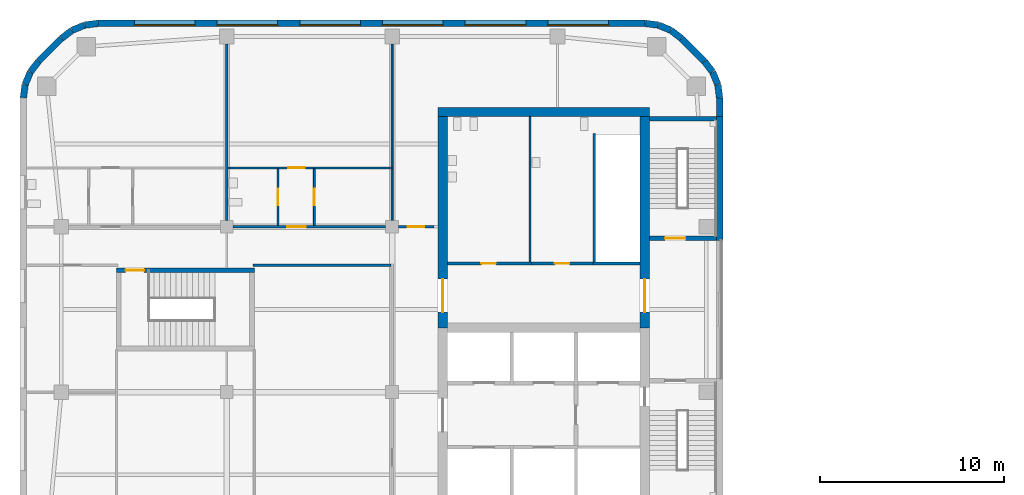
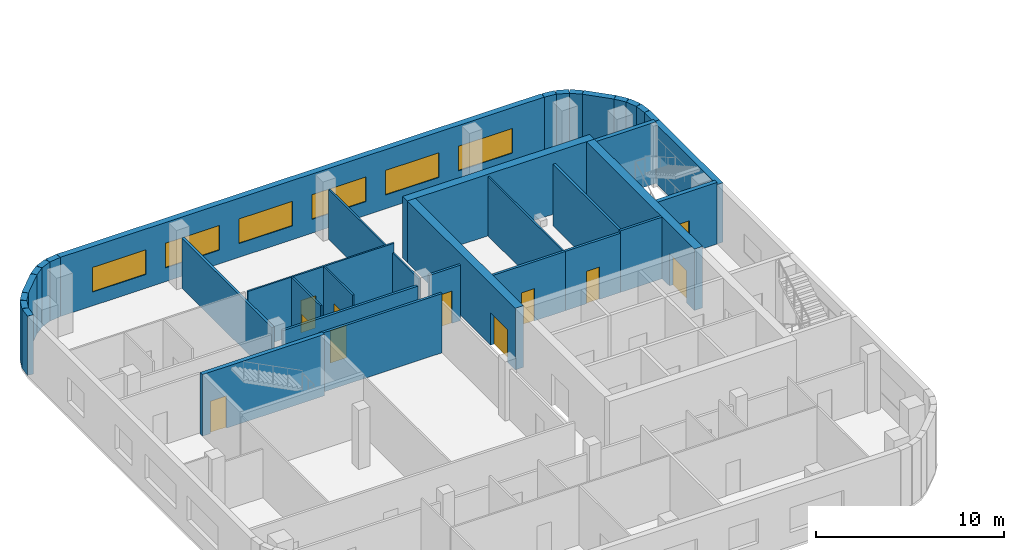
# One storey, part 7 of 15: 37 walls, 11 doors, 6 windows, 17 openings.
"""IFC4 building model written with IfcOpenShell, lengths in metres."""

from ifc_helpers import new_model, si_unit, direction, frame, frame_2d, origin, place, context, subcontext, project, spatial, rectangle, extrude, material, layer, layer_set, type_object, element, fill, save


model = new_model("IFC4")

# Units and contexts
model_context = context("Model", 3, precision=1e-05, world=origin(), true_north=direction((0.0, 1.0)))
body_context = subcontext(model_context, "Body", "Model", "MODEL_VIEW")
ifc_project = project(units=[si_unit("LENGTHUNIT", "METRE"), si_unit("AREAUNIT", "SQUARE_METRE"), si_unit("VOLUMEUNIT", "CUBIC_METRE"), si_unit("PLANEANGLEUNIT", "RADIAN"), si_unit("MASSUNIT", "GRAM", prefix="KILO")], contexts=[model_context])

# Site, building, storey
site_placement = place(None, origin())
site = spatial("IfcSite", under=ifc_project, at=site_placement, CompositionType="ELEMENT")
building_placement = place(site_placement, origin())
building = spatial("IfcBuilding", under=site, at=building_placement, Name="Cinnabar Reach Civic Tower", CompositionType="ELEMENT")
storey_placement = place(building_placement, frame((0.0, 0.0, 87.0)))
storey = spatial("IfcBuildingStorey", under=building, at=storey_placement, Name="L20", CompositionType="ELEMENT", Elevation=87.0)

# Walls
ifc_material_1 = material(Name="Facing brick with insulated backing", Category="masonry")
ifc_layer_1 = layer(ifc_material_1, 0.36)
ifc_layer_set_1 = layer_set([ifc_layer_1], Name="Brick corner wall")
wall_type_1 = type_object("IfcWallType", Name="Brick corner wall", PredefinedType="STANDARD", material=ifc_layer_set_1)
for number, where, z_axis, x_axis, name in (
    (1, (-27.183, 43.0186, 0.0), (0.0, 0.0, 1.0), (-0.13055608231, 0.99144092581, 0.0), "Brick corner wall"),
    (2, (-27.2819, 43.7473, 0.0), (0.0, 0.0, 1.0), (-0.382702709855, 0.923871547278, 0.0), "Brick corner wall"),
):
    element("IfcWall", number, at=place(storey_placement, frame(where, z_axis=z_axis, x_axis=x_axis)), inside=storey, type_object=wall_type_1, Name=name, PredefinedType="STANDARD", context=body_context, shape_type="SweptSolid", body=[
        extrude(rectangle(XDim=0.7131, YDim=0.36, at=frame_2d((0.3565, 0.0))), origin(), (0.0, 0.0, 1.0), 3.85),
    ])
for number, where, z_axis, x_axis, name in (
    (3, (-27.566, 44.4255, 0.0), (0.0, 0.0, 1.0), (-0.608802368033, 0.793321924995, 0.0), "Brick corner wall"),
    (4, (-29.2587, 46.2498, 0.0), (0.0, 0.0, 1.0), (-0.793321924995, 0.608802368033, 0.0), "Brick corner wall"),
):
    element("IfcWall", number, at=place(storey_placement, frame(where, z_axis=z_axis, x_axis=x_axis)), inside=storey, type_object=wall_type_1, Name=name, PredefinedType="STANDARD", context=body_context, shape_type="SweptSolid", body=[
        extrude(rectangle(XDim=0.7132, YDim=0.36, at=frame_2d((0.3566, 0.0))), origin(), (0.0, 0.0, 1.0), 3.85),
    ])
for number, where, z_axis, x_axis, name in (
    (5, (-29.8439, 46.6952, 0.0), (0.0, 0.0, 1.0), (-0.923871547278, 0.382702709855, 0.0), "Brick corner wall"),
    (6, (-30.5244, 46.9739, 0.0), (0.0, 0.0, 1.0), (-0.99144092581, 0.13055608231, 0.0), "Brick corner wall"),
    (7, (-61.0186, 47.067, 0.0), (0.0, 0.0, 1.0), (-0.99144092581, -0.13055608231, 0.0), "Brick corner wall"),
    (8, (-61.7473, 46.9681, 0.0), (0.0, 0.0, 1.0), (-0.923871547278, -0.382702709855, 0.0), "Brick corner wall"),
):
    element("IfcWall", number, at=place(storey_placement, frame(where, z_axis=z_axis, x_axis=x_axis)), inside=storey, type_object=wall_type_1, Name=name, PredefinedType="STANDARD", context=body_context, shape_type="SweptSolid", body=[
        extrude(rectangle(XDim=0.7131, YDim=0.36, at=frame_2d((0.3565, 0.0))), origin(), (0.0, 0.0, 1.0), 3.85),
    ])
for number, where, z_axis, x_axis, name in (
    (9, (-62.4255, 46.684, 0.0), (0.0, 0.0, 1.0), (-0.793321924995, -0.608802368033, 0.0), "Brick corner wall"),
    (10, (-64.2498, 44.9913, 0.0), (0.0, 0.0, 1.0), (-0.608802368033, -0.793321924995, 0.0), "Brick corner wall"),
):
    element("IfcWall", number, at=place(storey_placement, frame(where, z_axis=z_axis, x_axis=x_axis)), inside=storey, type_object=wall_type_1, Name=name, PredefinedType="STANDARD", context=body_context, shape_type="SweptSolid", body=[
        extrude(rectangle(XDim=0.7132, YDim=0.36, at=frame_2d((0.3566, 0.0))), origin(), (0.0, 0.0, 1.0), 3.85),
    ])
for number, where, z_axis, x_axis, name in (
    (11, (-64.6952, 44.4061, 0.0), (0.0, 0.0, 1.0), (-0.382702709855, -0.923871547278, 0.0), "Brick corner wall"),
    (12, (-64.9739, 43.7256, 0.0), (0.0, 0.0, 1.0), (-0.13055608231, -0.99144092581, 0.0), "Brick corner wall"),
):
    element("IfcWall", number, at=place(storey_placement, frame(where, z_axis=z_axis, x_axis=x_axis)), inside=storey, type_object=wall_type_1, Name=name, PredefinedType="STANDARD", context=body_context, shape_type="SweptSolid", body=[
        extrude(rectangle(XDim=0.7131, YDim=0.36, at=frame_2d((0.3565, 0.0))), origin(), (0.0, 0.0, 1.0), 3.85),
    ])
ifc_layer_2 = layer(ifc_material_1, 0.36)
ifc_layer_set_2 = layer_set([ifc_layer_2], Name="Brick pier and spandrel wall")
wall_type_2 = type_object("IfcWallType", Name="Brick pier and spandrel wall", PredefinedType="STANDARD", material=ifc_layer_set_2)
wall_1_placement = place(storey_placement, frame((-27.18, 35.25, 0.0), z_axis=(0.0, 0.0, 1.0), x_axis=(0.0, 1.0, 0.0)))
element("IfcWall", 13, at=wall_1_placement, inside=storey, type_object=wall_type_2, Name="Brick facade wall", PredefinedType="STANDARD", context=body_context, shape_type="SweptSolid", body=[
    extrude(rectangle(XDim=6.75, YDim=0.36, at=frame_2d((3.375, 0.0))), origin(), (0.0, 0.0, 1.0), 3.85),
])
wall_2_placement = place(storey_placement, frame((-27.18, 42.0, 0.0), z_axis=(0.0, 0.0, 1.0), x_axis=(0.0, 1.0, 0.0)))
element("IfcWall", 14, at=wall_2_placement, inside=storey, type_object=wall_type_2, Name="Brick facade wall", PredefinedType="STANDARD", context=body_context, shape_type="SweptSolid", body=[
    extrude(rectangle(XDim=1.0074, YDim=0.36, at=frame_2d((0.5037, 0.0))), origin(), (0.0, 0.0, 1.0), 3.85),
])
wall_3_placement = place(storey_placement, frame((-28.006, 45.0014, 0.0), z_axis=(0.0, 0.0, 1.0), x_axis=(-0.707106781187, 0.707106781187, 0.0)))
element("IfcWall", 15, at=wall_3_placement, inside=storey, type_object=wall_type_2, Name="Brick facade wall", PredefinedType="STANDARD", context=body_context, shape_type="SweptSolid", body=[
    extrude(rectangle(XDim=1.7573, YDim=0.36, at=frame_2d((0.8787, 0.0))), origin(), (0.0, 0.0, 1.0), 3.85),
])

# Wall, openings, windows
wall_4_placement = place(storey_placement, frame((-31.2426, 47.07, 0.0), z_axis=(0.0, 0.0, 1.0), x_axis=(-1.0, 0.0, 0.0)))
wall_4 = element("IfcWall", 16, at=wall_4_placement, inside=storey, type_object=wall_type_2, Name="Brick facade wall", PredefinedType="STANDARD", context=body_context, shape_type="SweptSolid", body=[
    extrude(rectangle(XDim=29.7648, YDim=0.36, at=frame_2d((14.8824, 0.0))), origin(), (0.0, 0.0, 1.0), 3.85),
])
opening_1_placement = place(wall_4_placement, frame((1.9824, 0.0, 0.9)))
opening_1 = element("IfcOpeningElement", 17, at=opening_1_placement, cuts=wall_4, Name="Opening W2626", PredefinedType="OPENING", context=body_context, shape_type="SweptSolid", body=[
    extrude(rectangle(XDim=3.3, YDim=1.6, at=frame_2d((1.65, 0.8))), frame((0.0, 0.19, 0.0), z_axis=(0.0, -1.0, 0.0), x_axis=(1.0, 0.0, 0.0)), (0.0, 0.0, 1.0), 0.38),
])
opening_2_placement = place(wall_4_placement, frame((6.4824, 0.0, 0.9)))
opening_2 = element("IfcOpeningElement", 18, at=opening_2_placement, cuts=wall_4, Name="Opening W2627", PredefinedType="OPENING", context=body_context, shape_type="SweptSolid", body=[
    extrude(rectangle(XDim=3.3, YDim=1.6, at=frame_2d((1.65, 0.8))), frame((0.0, 0.19, 0.0), z_axis=(0.0, -1.0, 0.0), x_axis=(1.0, 0.0, 0.0)), (0.0, 0.0, 1.0), 0.38),
])
opening_3_placement = place(wall_4_placement, frame((10.9824, 0.0, 0.9)))
opening_3 = element("IfcOpeningElement", 19, at=opening_3_placement, cuts=wall_4, Name="Opening W2628", PredefinedType="OPENING", context=body_context, shape_type="SweptSolid", body=[
    extrude(rectangle(XDim=3.3, YDim=1.6, at=frame_2d((1.65, 0.8))), frame((0.0, 0.19, 0.0), z_axis=(0.0, -1.0, 0.0), x_axis=(1.0, 0.0, 0.0)), (0.0, 0.0, 1.0), 0.38),
])
opening_4_placement = place(wall_4_placement, frame((15.4824, 0.0, 0.9)))
opening_4 = element("IfcOpeningElement", 20, at=opening_4_placement, cuts=wall_4, Name="Opening W2629", PredefinedType="OPENING", context=body_context, shape_type="SweptSolid", body=[
    extrude(rectangle(XDim=3.3, YDim=1.6, at=frame_2d((1.65, 0.8))), frame((0.0, 0.19, 0.0), z_axis=(0.0, -1.0, 0.0), x_axis=(1.0, 0.0, 0.0)), (0.0, 0.0, 1.0), 0.38),
])
opening_5_placement = place(wall_4_placement, frame((19.9824, 0.0, 0.9)))
opening_5 = element("IfcOpeningElement", 21, at=opening_5_placement, cuts=wall_4, Name="Opening W2630", PredefinedType="OPENING", context=body_context, shape_type="SweptSolid", body=[
    extrude(rectangle(XDim=3.3, YDim=1.6, at=frame_2d((1.65, 0.8))), frame((0.0, 0.19, 0.0), z_axis=(0.0, -1.0, 0.0), x_axis=(1.0, 0.0, 0.0)), (0.0, 0.0, 1.0), 0.38),
])
opening_6_placement = place(wall_4_placement, frame((24.4824, 0.0, 0.9)))
opening_6 = element("IfcOpeningElement", 22, at=opening_6_placement, cuts=wall_4, Name="Opening W2631", PredefinedType="OPENING", context=body_context, shape_type="SweptSolid", body=[
    extrude(rectangle(XDim=3.3, YDim=1.6, at=frame_2d((1.65, 0.8))), frame((0.0, 0.19, 0.0), z_axis=(0.0, -1.0, 0.0), x_axis=(1.0, 0.0, 0.0)), (0.0, 0.0, 1.0), 0.38),
])
ifc_material_2 = material(Name="Clear double glazing in aluminium frame", Category="aluminium")
window_type = type_object("IfcWindowType", Name="Deep-set window A", PartitioningType="SINGLE_PANEL", PredefinedType="WINDOW", material=ifc_material_2)
window_1_placement = place(opening_1_placement, origin())
window_1 = element("IfcWindow", 23, at=window_1_placement, inside=storey, type_object=window_type, Name="Window north face", OverallHeight=1.6, OverallWidth=3.3, PartitioningType="SINGLE_PANEL", PredefinedType="WINDOW", context=body_context, shape_type="SweptSolid", body=[
    extrude(rectangle(XDim=3.3, YDim=1.6, at=frame_2d((1.65, 0.8))), frame((0.0, 0.13, 0.0), z_axis=(0.0, -1.0, 0.0), x_axis=(1.0, 0.0, 0.0)), (0.0, 0.0, 1.0), 0.06),
])
fill(opening_1, window_1)
window_2_placement = place(opening_2_placement, origin())
window_2 = element("IfcWindow", 24, at=window_2_placement, inside=storey, type_object=window_type, Name="Window north face", OverallHeight=1.6, OverallWidth=3.3, PartitioningType="SINGLE_PANEL", PredefinedType="WINDOW", context=body_context, shape_type="SweptSolid", body=[
    extrude(rectangle(XDim=3.3, YDim=1.6, at=frame_2d((1.65, 0.8))), frame((0.0, 0.13, 0.0), z_axis=(0.0, -1.0, 0.0), x_axis=(1.0, 0.0, 0.0)), (0.0, 0.0, 1.0), 0.06),
])
fill(opening_2, window_2)
window_3_placement = place(opening_3_placement, origin())
window_3 = element("IfcWindow", 25, at=window_3_placement, inside=storey, type_object=window_type, Name="Window north face", OverallHeight=1.6, OverallWidth=3.3, PartitioningType="SINGLE_PANEL", PredefinedType="WINDOW", context=body_context, shape_type="SweptSolid", body=[
    extrude(rectangle(XDim=3.3, YDim=1.6, at=frame_2d((1.65, 0.8))), frame((0.0, 0.13, 0.0), z_axis=(0.0, -1.0, 0.0), x_axis=(1.0, 0.0, 0.0)), (0.0, 0.0, 1.0), 0.06),
])
fill(opening_3, window_3)
window_4_placement = place(opening_4_placement, origin())
window_4 = element("IfcWindow", 26, at=window_4_placement, inside=storey, type_object=window_type, Name="Window north face", OverallHeight=1.6, OverallWidth=3.3, PartitioningType="SINGLE_PANEL", PredefinedType="WINDOW", context=body_context, shape_type="SweptSolid", body=[
    extrude(rectangle(XDim=3.3, YDim=1.6, at=frame_2d((1.65, 0.8))), frame((0.0, 0.13, 0.0), z_axis=(0.0, -1.0, 0.0), x_axis=(1.0, 0.0, 0.0)), (0.0, 0.0, 1.0), 0.06),
])
fill(opening_4, window_4)
window_5_placement = place(opening_5_placement, origin())
window_5 = element("IfcWindow", 27, at=window_5_placement, inside=storey, type_object=window_type, Name="Window north face", OverallHeight=1.6, OverallWidth=3.3, PartitioningType="SINGLE_PANEL", PredefinedType="WINDOW", context=body_context, shape_type="SweptSolid", body=[
    extrude(rectangle(XDim=3.3, YDim=1.6, at=frame_2d((1.65, 0.8))), frame((0.0, 0.13, 0.0), z_axis=(0.0, -1.0, 0.0), x_axis=(1.0, 0.0, 0.0)), (0.0, 0.0, 1.0), 0.06),
])
fill(opening_5, window_5)
window_6_placement = place(opening_6_placement, origin())
window_6 = element("IfcWindow", 28, at=window_6_placement, inside=storey, type_object=window_type, Name="Window north face", OverallHeight=1.6, OverallWidth=3.3, PartitioningType="SINGLE_PANEL", PredefinedType="WINDOW", context=body_context, shape_type="SweptSolid", body=[
    extrude(rectangle(XDim=3.3, YDim=1.6, at=frame_2d((1.65, 0.8))), frame((0.0, 0.13, 0.0), z_axis=(0.0, -1.0, 0.0), x_axis=(1.0, 0.0, 0.0)), (0.0, 0.0, 1.0), 0.06),
])
fill(opening_6, window_6)

# Walls
wall_5_placement = place(storey_placement, frame((-63.0014, 46.244, 0.0), z_axis=(0.0, 0.0, 1.0), x_axis=(-0.707106781187, -0.707106781187, 0.0)))
element("IfcWall", 29, at=wall_5_placement, inside=storey, type_object=wall_type_2, Name="Brick facade wall", PredefinedType="STANDARD", context=body_context, shape_type="SweptSolid", body=[
    extrude(rectangle(XDim=1.7573, YDim=0.36, at=frame_2d((0.8787, 0.0))), origin(), (0.0, 0.0, 1.0), 3.85),
])
ifc_material_3 = material(Name="Concrete C60", Category="concrete")
ifc_layer_3 = layer(ifc_material_3, 0.5)
ifc_layer_set_3 = layer_set([ifc_layer_3], Name="Core wall 500 EI 180")
wall_type_3 = type_object("IfcWallType", Name="Core wall 500 EI 180", PredefinedType="SOLIDWALL", material=ifc_layer_set_3)
wall_6_placement = place(storey_placement, frame((-31.0, 42.25, 0.0), z_axis=(0.0, 0.0, 1.0), x_axis=(-1.0, 0.0, 0.0)))
element("IfcWall", 30, at=wall_6_placement, inside=storey, type_object=wall_type_3, Name="Core wall T2 L20 N", PredefinedType="SOLIDWALL", context=body_context, shape_type="SweptSolid", body=[
    extrude(rectangle(XDim=11.5, YDim=0.5, at=frame_2d((5.75, 0.0))), origin(), (0.0, 0.0, 1.0), 4.0),
])

# Wall, opening, door
wall_7_placement = place(storey_placement, frame((-31.25, 30.5, 0.0), z_axis=(0.0, 0.0, 1.0), x_axis=(0.0, 1.0, 0.0)))
wall_7 = element("IfcWall", 31, at=wall_7_placement, inside=storey, type_object=wall_type_3, Name="Core wall T2 L20 E2", PredefinedType="SOLIDWALL", context=body_context, shape_type="SweptSolid", body=[
    extrude(rectangle(XDim=11.5, YDim=0.5, at=frame_2d((5.75, 0.0))), origin(), (0.0, 0.0, 1.0), 4.0),
])
opening_7_placement = place(wall_7_placement, frame((0.85, 0.0, 0.0)))
opening_7 = element("IfcOpeningElement", 32, at=opening_7_placement, cuts=wall_7, Name="Opening D6757", PredefinedType="OPENING", context=body_context, shape_type="SweptSolid", body=[
    extrude(rectangle(XDim=1.8, YDim=2.1, at=frame_2d((0.9, 1.05))), frame((0.0, 0.26, 0.0), z_axis=(0.0, -1.0, 0.0), x_axis=(1.0, 0.0, 0.0)), (0.0, 0.0, 1.0), 0.52),
])
ifc_material_4 = material(Name="Steel fire door", Category="steel")
door_type_1 = type_object("IfcDoorType", Name="T2 Double door 1800", OperationType="DOUBLE_DOOR_SINGLE_SWING", PredefinedType="DOOR", material=ifc_material_4)
door_1_placement = place(opening_7_placement, origin())
door_1 = element("IfcDoor", 33, at=door_1_placement, inside=storey, type_object=door_type_1, Name="T2 Double door D6757", OperationType="DOUBLE_DOOR_SINGLE_SWING", OverallHeight=2.1, OverallWidth=1.8, PredefinedType="DOOR", context=body_context, shape_type="SweptSolid", body=[
    extrude(rectangle(XDim=1.8, YDim=2.1, at=frame_2d((0.9, 1.05))), frame((0.0, 0.025, 0.0), z_axis=(0.0, -1.0, 0.0), x_axis=(1.0, 0.0, 0.0)), (0.0, 0.0, 1.0), 0.05),
])
fill(opening_7, door_1)

wall_8_placement = place(storey_placement, frame((-42.25, 42.0, 0.0), z_axis=(0.0, 0.0, 1.0), x_axis=(0.0, -1.0, 0.0)))
wall_8 = element("IfcWall", 34, at=wall_8_placement, inside=storey, type_object=wall_type_3, Name="Core wall T2 L20 W", PredefinedType="SOLIDWALL", context=body_context, shape_type="SweptSolid", body=[
    extrude(rectangle(XDim=11.5, YDim=0.5, at=frame_2d((5.75, 0.0))), origin(), (0.0, 0.0, 1.0), 4.0),
])
opening_8_placement = place(wall_8_placement, frame((8.85, 0.0, 0.0)))
opening_8 = element("IfcOpeningElement", 35, at=opening_8_placement, cuts=wall_8, Name="Opening D6759", PredefinedType="OPENING", context=body_context, shape_type="SweptSolid", body=[
    extrude(rectangle(XDim=1.8, YDim=2.1, at=frame_2d((0.9, 1.05))), frame((0.0, 0.26, 0.0), z_axis=(0.0, -1.0, 0.0), x_axis=(1.0, 0.0, 0.0)), (0.0, 0.0, 1.0), 0.52),
])
door_2_placement = place(opening_8_placement, frame((1.8, 0.0, 0.0), z_axis=(0.0, 0.0, 1.0), x_axis=(-1.0, 0.0, 0.0)))
door_2 = element("IfcDoor", 36, at=door_2_placement, inside=storey, type_object=door_type_1, Name="T2 Double door D6759", OperationType="DOUBLE_DOOR_SINGLE_SWING", OverallHeight=2.1, OverallWidth=1.8, PredefinedType="DOOR", context=body_context, shape_type="SweptSolid", body=[
    extrude(rectangle(XDim=1.8, YDim=2.1, at=frame_2d((0.9, 1.05))), frame((0.0, 0.025, 0.0), z_axis=(0.0, -1.0, 0.0), x_axis=(1.0, 0.0, 0.0)), (0.0, 0.0, 1.0), 0.05),
])
fill(opening_8, door_2)

ifc_material_5 = material(Name="Gypsum board on steel studs, double layer", Category="steel")
ifc_layer_4 = layer(ifc_material_5, 0.15)
ifc_layer_set_4 = layer_set([ifc_layer_4], Name="Corridor wall 150 T2")
wall_type_4 = type_object("IfcWallType", Name="Corridor wall 150 T2", PredefinedType="PARTITIONING", material=ifc_layer_set_4)
wall_9_placement = place(storey_placement, frame((-44.65, 36.0, 0.0), z_axis=(0.0, 0.0, 1.0), x_axis=(1.0, 0.0, 0.0)))
wall_9 = element("IfcWall", 37, at=wall_9_placement, inside=storey, type_object=wall_type_4, Name="Corridor wall 5", PredefinedType="PARTITIONING", context=body_context, shape_type="SweptSolid", body=[
    extrude(rectangle(XDim=1.925, YDim=0.15, at=frame_2d((0.9625, 0.0))), origin(), (0.0, 0.0, 1.0), 3.602),
])
opening_9_placement = place(wall_9_placement, frame((0.5, 0.0, 0.0)))
opening_9 = element("IfcOpeningElement", 38, at=opening_9_placement, cuts=wall_9, Name="Opening D6762", PredefinedType="OPENING", context=body_context, shape_type="SweptSolid", body=[
    extrude(rectangle(XDim=0.9, YDim=2.1, at=frame_2d((0.45, 1.05))), frame((0.0, 0.085, 0.0), z_axis=(0.0, -1.0, 0.0), x_axis=(1.0, 0.0, 0.0)), (0.0, 0.0, 1.0), 0.17),
])
ifc_material_6 = material(Name="Timber door leaf in steel frame", Category="steel")
door_type_2 = type_object("IfcDoorType", Name="Single swing door 900 x 2100 T2", OperationType="SINGLE_SWING_LEFT", PredefinedType="DOOR", material=ifc_material_6)
door_3_placement = place(opening_9_placement, origin())
door_3 = element("IfcDoor", 39, at=door_3_placement, inside=storey, type_object=door_type_2, Name="Door D6762", OperationType="SINGLE_SWING_LEFT", OverallHeight=2.1, OverallWidth=0.9, PredefinedType="DOOR", context=body_context, shape_type="SweptSolid", body=[
    extrude(rectangle(XDim=0.9, YDim=2.1, at=frame_2d((0.45, 1.05))), frame((0.0, 0.025, 0.0), z_axis=(0.0, -1.0, 0.0), x_axis=(1.0, 0.0, 0.0)), (0.0, 0.0, 1.0), 0.05),
])
fill(opening_9, door_3)

wall_10_placement = place(storey_placement, frame((-53.65, 36.0, 0.0), z_axis=(0.0, 0.0, 1.0), x_axis=(1.0, 0.0, 0.0)))
wall_10 = element("IfcWall", 40, at=wall_10_placement, inside=storey, type_object=wall_type_4, Name="Corridor wall 6", PredefinedType="PARTITIONING", context=body_context, shape_type="SweptSolid", body=[
    extrude(rectangle(XDim=8.3, YDim=0.15, at=frame_2d((4.15, 0.0))), origin(), (0.0, 0.0, 1.0), 3.158),
])
opening_10_placement = place(wall_10_placement, frame((2.94, 0.0, 0.0)))
opening_10 = element("IfcOpeningElement", 41, at=opening_10_placement, cuts=wall_10, Name="Opening D6781", PredefinedType="OPENING", context=body_context, shape_type="SweptSolid", body=[
    extrude(rectangle(XDim=1.0, YDim=2.1, at=frame_2d((0.5, 1.05))), frame((0.0, 0.085, 0.0), z_axis=(0.0, -1.0, 0.0), x_axis=(1.0, 0.0, 0.0)), (0.0, 0.0, 1.0), 0.17),
])
door_type_3 = type_object("IfcDoorType", Name="Tenancy entrance door 1000 x 2100 T2", OperationType="SINGLE_SWING_LEFT", PredefinedType="DOOR", material=ifc_material_6)
door_4_placement = place(opening_10_placement, origin())
door_4 = element("IfcDoor", 42, at=door_4_placement, inside=storey, type_object=door_type_3, Name="Door D6781", OperationType="SINGLE_SWING_RIGHT", OverallHeight=2.1, OverallWidth=1.0, PredefinedType="DOOR", context=body_context, shape_type="SweptSolid", body=[
    extrude(rectangle(XDim=1.0, YDim=2.1, at=frame_2d((0.5, 1.05))), frame((0.0, 0.025, 0.0), z_axis=(0.0, -1.0, 0.0), x_axis=(1.0, 0.0, 0.0)), (0.0, 0.0, 1.0), 0.05),
])
fill(opening_10, door_4)

# Wall
wall_11_placement = place(storey_placement, frame((-52.575, 33.9, 0.0), z_axis=(0.0, 0.0, 1.0), x_axis=(1.0, 0.0, 0.0)))
element("IfcWall", 43, at=wall_11_placement, inside=storey, type_object=wall_type_4, Name="Corridor wall 12", PredefinedType="PARTITIONING", context=body_context, shape_type="SweptSolid", body=[
    extrude(rectangle(XDim=7.5, YDim=0.15, at=frame_2d((3.75, 0.0))), origin(), (0.0, 0.0, 1.0), 3.85),
])

# Wall, opening, door
ifc_material_7 = material(Name="Gypsum board on steel studs", Category="steel")
ifc_layer_5 = layer(ifc_material_7, 0.1)
ifc_layer_set_5 = layer_set([ifc_layer_5], Name="Partition wall 100 T2")
wall_type_5 = type_object("IfcWallType", Name="Partition wall 100 T2", PredefinedType="PARTITIONING", material=ifc_layer_set_5)
wall_12_placement = place(storey_placement, frame((-53.925, 39.2, 0.0), z_axis=(0.0, 0.0, 1.0), x_axis=(1.0, 0.0, 0.0)))
wall_12 = element("IfcWall", 44, at=wall_12_placement, inside=storey, type_object=wall_type_5, Name="Partition wall 18", PredefinedType="PARTITIONING", context=body_context, shape_type="SweptSolid", body=[
    extrude(rectangle(XDim=8.975, YDim=0.1, at=frame_2d((4.4875, 0.0))), origin(), (0.0, 0.0, 1.0), 3.85),
])
opening_11_placement = place(wall_12_placement, frame((3.265, 0.0, 0.0)))
opening_11 = element("IfcOpeningElement", 45, at=opening_11_placement, cuts=wall_12, Name="Opening D6780", PredefinedType="OPENING", context=body_context, shape_type="SweptSolid", body=[
    extrude(rectangle(XDim=0.9, YDim=2.1, at=frame_2d((0.45, 1.05))), frame((0.0, 0.06, 0.0), z_axis=(0.0, -1.0, 0.0), x_axis=(1.0, 0.0, 0.0)), (0.0, 0.0, 1.0), 0.12),
])
door_5_placement = place(opening_11_placement, frame((0.9, 0.0, 0.0), z_axis=(0.0, 0.0, 1.0), x_axis=(-1.0, 0.0, 0.0)))
door_5 = element("IfcDoor", 46, at=door_5_placement, inside=storey, type_object=door_type_2, Name="Door D6780", OperationType="SINGLE_SWING_LEFT", OverallHeight=2.1, OverallWidth=0.9, PredefinedType="DOOR", context=body_context, shape_type="SweptSolid", body=[
    extrude(rectangle(XDim=0.9, YDim=2.1, at=frame_2d((0.45, 1.05))), frame((0.0, 0.025, 0.0), z_axis=(0.0, -1.0, 0.0), x_axis=(1.0, 0.0, 0.0)), (0.0, 0.0, 1.0), 0.05),
])
fill(opening_11, door_5)

# Walls
wall_13_placement = place(storey_placement, frame((-45.0, 39.25, 0.0), z_axis=(0.0, 0.0, 1.0), x_axis=(0.0, 1.0, 0.0)))
element("IfcWall", 47, at=wall_13_placement, inside=storey, type_object=wall_type_5, Name="Partition wall 20", PredefinedType="PARTITIONING", context=body_context, shape_type="SweptSolid", body=[
    extrude(rectangle(XDim=6.7, YDim=0.1, at=frame_2d((3.35, 0.0))), origin(), (0.0, 0.0, 1.0), 3.256),
])
wall_14_placement = place(storey_placement, frame((-45.0, 36.35, 0.0), z_axis=(0.0, 0.0, 1.0), x_axis=(0.0, 1.0, 0.0)))
element("IfcWall", 48, at=wall_14_placement, inside=storey, type_object=wall_type_5, Name="Partition wall 21", PredefinedType="PARTITIONING", context=body_context, shape_type="SweptSolid", body=[
    extrude(rectangle(XDim=2.8, YDim=0.1, at=frame_2d((1.4, 0.0))), origin(), (0.0, 0.0, 1.0), 3.256),
])

# Wall, opening, door
wall_15_placement = place(storey_placement, frame((-51.21, 36.075, 0.0), z_axis=(0.0, 0.0, 1.0), x_axis=(0.0, 1.0, 0.0)))
wall_15 = element("IfcWall", 49, at=wall_15_placement, inside=storey, type_object=wall_type_5, Name="Partition wall 34", PredefinedType="PARTITIONING", context=body_context, shape_type="SweptSolid", body=[
    extrude(rectangle(XDim=3.075, YDim=0.1, at=frame_2d((1.5375, 0.0))), origin(), (0.0, 0.0, 1.0), 3.85),
])
opening_12_placement = place(wall_15_placement, frame((1.1, 0.0, 0.0)))
opening_12 = element("IfcOpeningElement", 50, at=opening_12_placement, cuts=wall_15, Name="Opening D6778", PredefinedType="OPENING", context=body_context, shape_type="SweptSolid", body=[
    extrude(rectangle(XDim=0.9, YDim=2.1, at=frame_2d((0.45, 1.05))), frame((0.0, 0.06, 0.0), z_axis=(0.0, -1.0, 0.0), x_axis=(1.0, 0.0, 0.0)), (0.0, 0.0, 1.0), 0.12),
])
door_6_placement = place(opening_12_placement, origin())
door_6 = element("IfcDoor", 51, at=door_6_placement, inside=storey, type_object=door_type_2, Name="Door D6778", OperationType="SINGLE_SWING_RIGHT", OverallHeight=2.1, OverallWidth=0.9, PredefinedType="DOOR", context=body_context, shape_type="SweptSolid", body=[
    extrude(rectangle(XDim=0.9, YDim=2.1, at=frame_2d((0.45, 1.05))), frame((0.0, 0.025, 0.0), z_axis=(0.0, -1.0, 0.0), x_axis=(1.0, 0.0, 0.0)), (0.0, 0.0, 1.0), 0.05),
])
fill(opening_12, door_6)

wall_16_placement = place(storey_placement, frame((-49.23, 36.075, 0.0), z_axis=(0.0, 0.0, 1.0), x_axis=(0.0, 1.0, 0.0)))
wall_16 = element("IfcWall", 52, at=wall_16_placement, inside=storey, type_object=wall_type_5, Name="Partition wall 35", PredefinedType="PARTITIONING", context=body_context, shape_type="SweptSolid", body=[
    extrude(rectangle(XDim=3.075, YDim=0.1, at=frame_2d((1.5375, 0.0))), origin(), (0.0, 0.0, 1.0), 3.85),
])
opening_13_placement = place(wall_16_placement, frame((1.1, 0.0, 0.0)))
opening_13 = element("IfcOpeningElement", 53, at=opening_13_placement, cuts=wall_16, Name="Opening D6779", PredefinedType="OPENING", context=body_context, shape_type="SweptSolid", body=[
    extrude(rectangle(XDim=0.9, YDim=2.1, at=frame_2d((0.45, 1.05))), frame((0.0, 0.06, 0.0), z_axis=(0.0, -1.0, 0.0), x_axis=(1.0, 0.0, 0.0)), (0.0, 0.0, 1.0), 0.12),
])
door_7_placement = place(opening_13_placement, origin())
door_7 = element("IfcDoor", 54, at=door_7_placement, inside=storey, type_object=door_type_2, Name="Door D6779", OperationType="SINGLE_SWING_LEFT", OverallHeight=2.1, OverallWidth=0.9, PredefinedType="DOOR", context=body_context, shape_type="SweptSolid", body=[
    extrude(rectangle(XDim=0.9, YDim=2.1, at=frame_2d((0.45, 1.05))), frame((0.0, 0.025, 0.0), z_axis=(0.0, -1.0, 0.0), x_axis=(1.0, 0.0, 0.0)), (0.0, 0.0, 1.0), 0.05),
])
fill(opening_13, door_7)

ifc_layer_6 = layer(ifc_material_3, 0.25)
ifc_layer_set_6 = layer_set([ifc_layer_6], Name="Stair shaft wall 250 EI 120")
wall_type_6 = type_object("IfcWallType", Name="Stair shaft wall 250 EI 120", PredefinedType="SOLIDWALL", material=ifc_layer_set_6)
wall_17_placement = place(storey_placement, frame((-31.0, 35.375, 0.0), z_axis=(0.0, 0.0, 1.0), x_axis=(1.0, 0.0, 0.0)))
wall_17 = element("IfcWall", 55, at=wall_17_placement, inside=storey, type_object=wall_type_6, Name="Stair shaft wall T2-S2 L20", PredefinedType="SOLIDWALL", context=body_context, shape_type="SweptSolid", body=[
    extrude(rectangle(XDim=3.64, YDim=0.25, at=frame_2d((1.82, 0.0))), origin(), (0.0, 0.0, 1.0), 4.0),
])
opening_14_placement = place(wall_17_placement, frame((0.85, 0.0, 0.0)))
opening_14 = element("IfcOpeningElement", 56, at=opening_14_placement, cuts=wall_17, Name="Opening D6756", PredefinedType="OPENING", context=body_context, shape_type="SweptSolid", body=[
    extrude(rectangle(XDim=1.1, YDim=2.1, at=frame_2d((0.55, 1.05))), frame((0.0, 0.135, 0.0), z_axis=(0.0, -1.0, 0.0), x_axis=(1.0, 0.0, 0.0)), (0.0, 0.0, 1.0), 0.27),
])
door_type_4 = type_object("IfcDoorType", Name="T2 Stair door 1100", OperationType="SINGLE_SWING_LEFT", PredefinedType="DOOR", material=ifc_material_4)
door_8_placement = place(opening_14_placement, origin())
door_8 = element("IfcDoor", 57, at=door_8_placement, inside=storey, type_object=door_type_4, Name="T2 Stair door D6756", OperationType="SINGLE_SWING_LEFT", OverallHeight=2.1, OverallWidth=1.1, PredefinedType="DOOR", context=body_context, shape_type="SweptSolid", body=[
    extrude(rectangle(XDim=1.1, YDim=2.1, at=frame_2d((0.55, 1.05))), frame((0.0, 0.025, 0.0), z_axis=(0.0, -1.0, 0.0), x_axis=(1.0, 0.0, 0.0)), (0.0, 0.0, 1.0), 0.05),
])
fill(opening_14, door_8)

# Wall
wall_18_placement = place(storey_placement, frame((-27.36, 41.875, 0.0), z_axis=(0.0, 0.0, 1.0), x_axis=(-1.0, 0.0, 0.0)))
element("IfcWall", 58, at=wall_18_placement, inside=storey, type_object=wall_type_6, Name="Stair shaft wall T2-S2 L20", PredefinedType="SOLIDWALL", context=body_context, shape_type="SweptSolid", body=[
    extrude(rectangle(XDim=3.64, YDim=0.25, at=frame_2d((1.82, 0.0))), origin(), (0.0, 0.0, 1.0), 4.0),
])

# Wall, opening, door
wall_19_placement = place(storey_placement, frame((-52.5, 33.625, 0.0), z_axis=(0.0, 0.0, 1.0), x_axis=(-1.0, 0.0, 0.0)))
wall_19 = element("IfcWall", 59, at=wall_19_placement, inside=storey, type_object=wall_type_6, Name="Stair shaft wall T2-S3 L20", PredefinedType="SOLIDWALL", context=body_context, shape_type="SweptSolid", body=[
    extrude(rectangle(XDim=7.5, YDim=0.25, at=frame_2d((3.75, 0.0))), origin(), (0.0, 0.0, 1.0), 4.0),
])
opening_15_placement = place(wall_19_placement, frame((6.0, 0.0, 0.0)))
opening_15 = element("IfcOpeningElement", 60, at=opening_15_placement, cuts=wall_19, Name="Opening D6786", PredefinedType="OPENING", context=body_context, shape_type="SweptSolid", body=[
    extrude(rectangle(XDim=1.0, YDim=2.1, at=frame_2d((0.5, 1.05))), frame((0.0, 0.135, 0.0), z_axis=(0.0, -1.0, 0.0), x_axis=(1.0, 0.0, 0.0)), (0.0, 0.0, 1.0), 0.27),
])
door_type_5 = type_object("IfcDoorType", Name="Stair door 1000 x 2100 T2", OperationType="SINGLE_SWING_LEFT", PredefinedType="DOOR", material=ifc_material_6)
door_9_placement = place(opening_15_placement, origin())
door_9 = element("IfcDoor", 61, at=door_9_placement, inside=storey, type_object=door_type_5, Name="Door D6786", OperationType="SINGLE_SWING_RIGHT", OverallHeight=2.1, OverallWidth=1.0, PredefinedType="DOOR", context=body_context, shape_type="SweptSolid", body=[
    extrude(rectangle(XDim=1.0, YDim=2.1, at=frame_2d((0.5, 1.05))), frame((0.0, 0.025, 0.0), z_axis=(0.0, -1.0, 0.0), x_axis=(1.0, 0.0, 0.0)), (0.0, 0.0, 1.0), 0.05),
])
fill(opening_15, door_9)

ifc_material_8 = material(Name="Masonry block partition", Category="masonry")
ifc_layer_7 = layer(ifc_material_8, 0.15)
ifc_layer_set_7 = layer_set([ifc_layer_7], Name="T2 Corridor wall 150")
wall_type_7 = type_object("IfcWallType", Name="T2 Corridor wall 150", PredefinedType="PARTITIONING", material=ifc_layer_set_7)
wall_20_placement = place(storey_placement, frame((-37.425, 34.0, 0.0), z_axis=(0.0, 0.0, 1.0), x_axis=(-1.0, 0.0, 0.0)))
wall_20 = element("IfcWall", 62, at=wall_20_placement, inside=storey, type_object=wall_type_7, Name="T2 Corridor wall L20 014", PredefinedType="PARTITIONING", context=body_context, shape_type="SweptSolid", body=[
    extrude(rectangle(XDim=4.575, YDim=0.15, at=frame_2d((2.2875, 0.0))), origin(), (0.0, 0.0, 1.0), 3.85),
])
opening_16_placement = place(wall_20_placement, frame((1.925, 0.0, 0.0)))
opening_16 = element("IfcOpeningElement", 63, at=opening_16_placement, cuts=wall_20, Name="Opening D6760", PredefinedType="OPENING", context=body_context, shape_type="SweptSolid", body=[
    extrude(rectangle(XDim=0.8, YDim=2.1, at=frame_2d((0.4, 1.05))), frame((0.0, 0.085, 0.0), z_axis=(0.0, -1.0, 0.0), x_axis=(1.0, 0.0, 0.0)), (0.0, 0.0, 1.0), 0.17),
])
ifc_material_9 = material(Name="Timber door leaf", Category="wood")
door_type_6 = type_object("IfcDoorType", Name="T2 Bathroom door 800", OperationType="SINGLE_SWING_LEFT", PredefinedType="DOOR", material=ifc_material_9)
door_10_placement = place(opening_16_placement, frame((0.8, 0.0, 0.0), z_axis=(0.0, 0.0, 1.0), x_axis=(-1.0, 0.0, 0.0)))
door_10 = element("IfcDoor", 64, at=door_10_placement, inside=storey, type_object=door_type_6, Name="T2 Bathroom door D6760", OperationType="SINGLE_SWING_RIGHT", OverallHeight=2.1, OverallWidth=0.8, PredefinedType="DOOR", context=body_context, shape_type="SweptSolid", body=[
    extrude(rectangle(XDim=0.8, YDim=2.1, at=frame_2d((0.4, 1.05))), frame((0.0, 0.025, 0.0), z_axis=(0.0, -1.0, 0.0), x_axis=(1.0, 0.0, 0.0)), (0.0, 0.0, 1.0), 0.05),
])
fill(opening_16, door_10)

wall_21_placement = place(storey_placement, frame((-34.075, 34.0, 0.0), z_axis=(0.0, 0.0, 1.0), x_axis=(-1.0, 0.0, 0.0)))
wall_21 = element("IfcWall", 65, at=wall_21_placement, inside=storey, type_object=wall_type_7, Name="T2 Corridor wall L20 015", PredefinedType="PARTITIONING", context=body_context, shape_type="SweptSolid", body=[
    extrude(rectangle(XDim=3.35, YDim=0.15, at=frame_2d((1.675, 0.0))), origin(), (0.0, 0.0, 1.0), 3.85),
])
opening_17_placement = place(wall_21_placement, frame((1.275, 0.0, 0.0)))
opening_17 = element("IfcOpeningElement", 66, at=opening_17_placement, cuts=wall_21, Name="Opening D6761", PredefinedType="OPENING", context=body_context, shape_type="SweptSolid", body=[
    extrude(rectangle(XDim=0.8, YDim=2.1, at=frame_2d((0.4, 1.05))), frame((0.0, 0.085, 0.0), z_axis=(0.0, -1.0, 0.0), x_axis=(1.0, 0.0, 0.0)), (0.0, 0.0, 1.0), 0.17),
])
door_11_placement = place(opening_17_placement, frame((0.8, 0.0, 0.0), z_axis=(0.0, 0.0, 1.0), x_axis=(-1.0, 0.0, 0.0)))
door_11 = element("IfcDoor", 67, at=door_11_placement, inside=storey, type_object=door_type_6, Name="T2 Bathroom door D6761", OperationType="SINGLE_SWING_RIGHT", OverallHeight=2.1, OverallWidth=0.8, PredefinedType="DOOR", context=body_context, shape_type="SweptSolid", body=[
    extrude(rectangle(XDim=0.8, YDim=2.1, at=frame_2d((0.4, 1.05))), frame((0.0, 0.025, 0.0), z_axis=(0.0, -1.0, 0.0), x_axis=(1.0, 0.0, 0.0)), (0.0, 0.0, 1.0), 0.05),
])
fill(opening_17, door_11)

# Walls
ifc_material_10 = material(Name="Gypsum board partition")
ifc_layer_8 = layer(ifc_material_10, 0.1)
ifc_layer_set_8 = layer_set([ifc_layer_8], Name="T2 Internal partition 100")
wall_type_8 = type_object("IfcWallType", Name="T2 Internal partition 100", PredefinedType="PARTITIONING", material=ifc_layer_set_8)
wall_22_placement = place(storey_placement, frame((-37.5, 34.075, 0.0), z_axis=(0.0, 0.0, 1.0), x_axis=(0.0, 1.0, 0.0)))
element("IfcWall", 68, at=wall_22_placement, inside=storey, type_object=wall_type_8, Name="T2 Internal partition L20 016", PredefinedType="PARTITIONING", context=body_context, shape_type="SweptSolid", body=[
    extrude(rectangle(XDim=7.925, YDim=0.1, at=frame_2d((3.9625, 0.0))), origin(), (0.0, 0.0, 1.0), 3.85),
])
ifc_material_11 = material(Name="Concrete C40", Category="concrete")
ifc_layer_9 = layer(ifc_material_11, 0.15)
ifc_layer_set_9 = layer_set([ifc_layer_9], Name="T2 Riser wall 150")
wall_type_9 = type_object("IfcWallType", Name="T2 Riser wall 150", PredefinedType="SOLIDWALL", material=ifc_layer_set_9)
wall_23_placement = place(storey_placement, frame((-34.075, 34.0, 0.0), z_axis=(0.0, 0.0, 1.0), x_axis=(1.0, 0.0, 0.0)))
element("IfcWall", 69, at=wall_23_placement, inside=storey, type_object=wall_type_9, Name="T2 Riser wall L20 012", PredefinedType="SOLIDWALL", context=body_context, shape_type="SweptSolid", body=[
    extrude(rectangle(XDim=2.575, YDim=0.15, at=frame_2d((1.2875, 0.0))), origin(), (0.0, 0.0, 1.0), 4.0),
])
wall_24_placement = place(storey_placement, frame((-34.0, 41.075, 0.0), z_axis=(0.0, 0.0, 1.0), x_axis=(0.0, -1.0, 0.0)))
element("IfcWall", 70, at=wall_24_placement, inside=storey, type_object=wall_type_9, Name="T2 Riser wall L20 013", PredefinedType="SOLIDWALL", context=body_context, shape_type="SweptSolid", body=[
    extrude(rectangle(XDim=7.0, YDim=0.15, at=frame_2d((3.5, 0.0))), origin(), (0.0, 0.0, 1.0), 4.0),
])
ifc_layer_10 = layer(ifc_material_5, 0.15)
ifc_layer_set_10 = layer_set([ifc_layer_10], Name="Tenancy separating wall 150 T2")
wall_type_10 = type_object("IfcWallType", Name="Tenancy separating wall 150 T2", PredefinedType="PARTITIONING", material=ifc_layer_set_10)
wall_25_placement = place(storey_placement, frame((-54.0, 36.35, 0.0), z_axis=(0.0, 0.0, 1.0), x_axis=(0.0, 1.0, 0.0)))
element("IfcWall", 71, at=wall_25_placement, inside=storey, type_object=wall_type_10, Name="Tenancy separating wall 14", PredefinedType="PARTITIONING", context=body_context, shape_type="SweptSolid", body=[
    extrude(rectangle(XDim=9.6, YDim=0.15, at=frame_2d((4.8, 0.0))), origin(), (0.0, 0.0, 1.0), 3.256),
])

save(model, "model.ifc")
